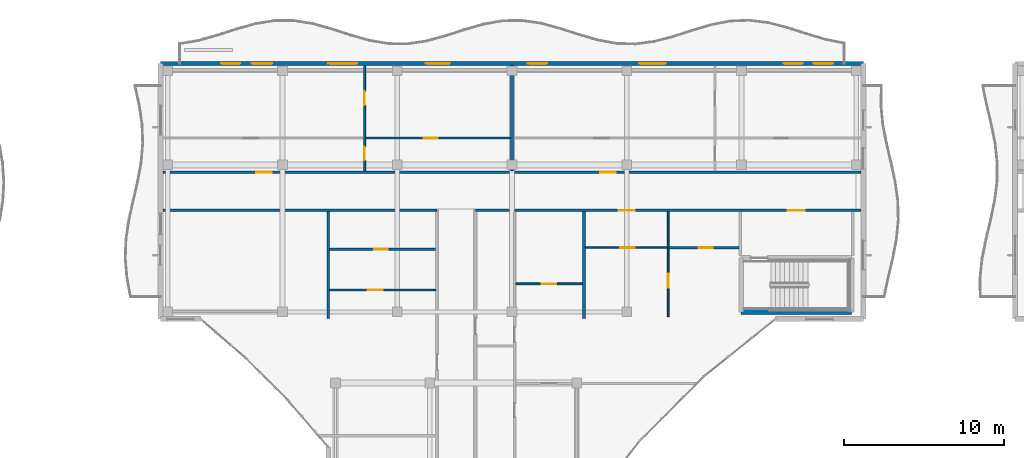
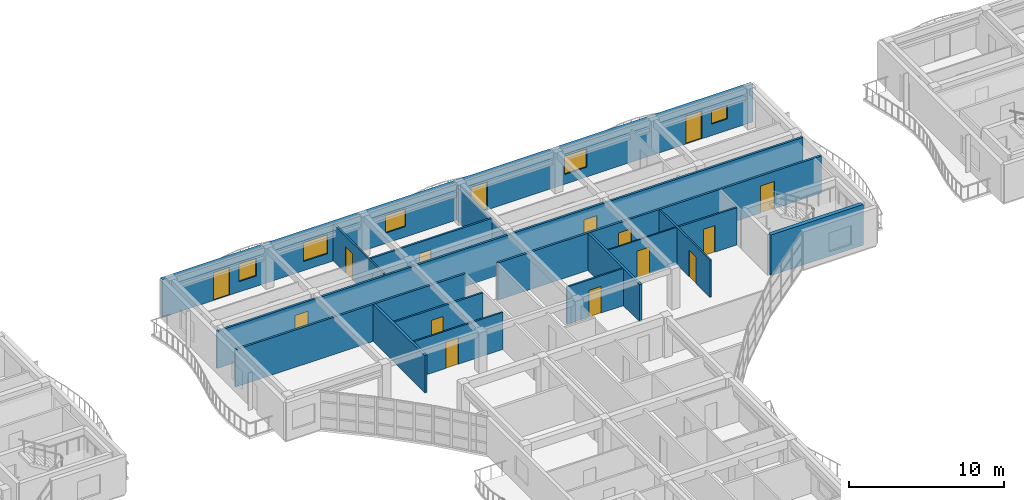
# One storey, part 40 of 71: 16 doors, 16 walls, 5 windows, 21 openings.
"""IFC4 building model written with IfcOpenShell, lengths in metres."""

import ifcopenshell
import ifcopenshell.guid

model = None  # the IFC model being written
_history = None  # IfcOwnerHistory: only IFC2X3 demands one
_inside = {}  # id of a spatial element -> (the spatial element, [elements in it])
_under = {}  # id of a project, library or spatial element -> (it, [spatial elements below it])
_declared = {}  # id of a project -> (the project, [libraries it declares])
_typed = {}  # id of a type object -> (the type object, [elements of that type])
_made_of = {}  # id of a material, layer set ... -> (it, [elements and type objects made of it])


def new_model(schema):
    """Start an empty IFC model of exactly this schema.

    Asked for "IFC4X3", IfcOpenShell would pick the latest addendum, in which some entities
    have other attributes; the version numbers below select the first issue.
    IFC2X3 requires an IfcOwnerHistory on every rooted entity: one is made here for all.
    """
    global model, _history
    if schema == "IFC4X3":
        model = ifcopenshell.file(schema_version=(4, 3, 0, 0))
    else:
        model = ifcopenshell.file(schema=schema)
    _inside.clear()
    _under.clear()
    _declared.clear()
    _typed.clear()
    _made_of.clear()
    _history = None
    if model.schema == "IFC2X3":
        org = make("IfcOrganization", Name="unknown")
        user = make(
            "IfcPersonAndOrganization",
            ThePerson=make("IfcPerson", FamilyName="unknown"),
            TheOrganization=org,
        )
        app = make(
            "IfcApplication",
            ApplicationDeveloper=org,
            Version="unknown",
            ApplicationFullName="unknown",
            ApplicationIdentifier="unknown",
        )
        _history = make(
            "IfcOwnerHistory",
            OwningUser=user,
            OwningApplication=app,
            ChangeAction="ADDED",
            CreationDate=0,
        )
    return model


def make(cls, **values):
    """One entity of the class cls with the attributes given. An attribute that is None is left unset."""
    return model.create_entity(
        cls, **{name: value for name, value in values.items() if value is not None}
    )


def rooted(cls, **values):
    """An entity with a GlobalId (a new one), such as an element, a storey or a relation."""
    return make(cls, GlobalId=ifcopenshell.guid.new(), OwnerHistory=_history, **values)


def si_unit(unit_type, name, prefix=None):
    """IfcSIUnit, for example si_unit("LENGTHUNIT", "METRE", prefix="MILLI")."""
    return make("IfcSIUnit", UnitType=unit_type, Prefix=prefix, Name=name)


def assignment(units):
    """IfcUnitAssignment: the units of a project."""
    return None if units is None else make("IfcUnitAssignment", Units=units)


def point(xyz):
    """IfcCartesianPoint."""
    return None if xyz is None else make("IfcCartesianPoint", Coordinates=xyz)


def direction(xyz):
    """IfcDirection."""
    return None if xyz is None else make("IfcDirection", DirectionRatios=xyz)


def frame(location, z_axis=None, x_axis=None):
    """IfcAxis2Placement3D, a coordinate frame: its origin and axes. An axis left out is left unset."""
    return make(
        "IfcAxis2Placement3D",
        Location=point(location),
        Axis=direction(z_axis),
        RefDirection=direction(x_axis),
    )


def frame_2d(location, x_axis=None):
    """IfcAxis2Placement2D, a coordinate frame in the plane: its origin and x axis."""
    return make(
        "IfcAxis2Placement2D", Location=point(location), RefDirection=direction(x_axis)
    )


def origin():
    """The frame at (0, 0, 0) with its axes left unset."""
    return frame((0.0, 0.0, 0.0))


def place(relative_to, where):
    """IfcLocalPlacement: puts the frame where relative to a parent placement (None: the world)."""
    return make(
        "IfcLocalPlacement", PlacementRelTo=relative_to, RelativePlacement=where
    )


def context(
    kind, dimensions, precision=None, world=None, true_north=None, identifier=None
):
    """IfcGeometricRepresentationContext, for example the 3D "Model" context."""
    return make(
        "IfcGeometricRepresentationContext",
        ContextIdentifier=identifier,
        ContextType=kind,
        CoordinateSpaceDimension=dimensions,
        Precision=precision,
        WorldCoordinateSystem=world,
        TrueNorth=true_north,
    )


def subcontext(parent, identifier, kind, view, scale=None):
    """IfcGeometricRepresentationSubContext, for example "Body" below "Model"."""
    return make(
        "IfcGeometricRepresentationSubContext",
        ContextIdentifier=identifier,
        ContextType=kind,
        ParentContext=parent,
        TargetScale=scale,
        TargetView=view,
    )


def project(units=None, contexts=None):
    """IfcProject with its units and contexts."""
    return rooted(
        "IfcProject",
        Name="project",
        RepresentationContexts=contexts,
        UnitsInContext=assignment(units),
    )


def spatial(cls, under=None, at=None, **own):
    """A site, building, storey or space (cls), placed at a placement, below another one or the project."""
    s = rooted(cls, ObjectPlacement=at, **own)
    if under is not None:
        _under.setdefault(under.id(), (under, []))[1].append(s)
    return s


def profile(cls, at=None, kind="AREA", **sizes):
    """A parametric profile (cls). Its sizes go by their IFC names, for example OverallWidth=200.0."""
    return make(cls, ProfileType=kind, Position=at, **sizes)


def rectangle(**sizes):
    """IfcRectangleProfileDef."""
    return profile("IfcRectangleProfileDef", **sizes)


def extrude(swept, where, along, depth):
    """IfcExtrudedAreaSolid: the profile swept, set in the frame where, extruded along a direction by depth."""
    return make(
        "IfcExtrudedAreaSolid",
        SweptArea=swept,
        Position=where,
        ExtrudedDirection=direction(along),
        Depth=depth,
    )


def shape(context_of_items, identifier, shape_type, items):
    """IfcShapeRepresentation: the items that make up one representation, for example the "Body"."""
    return make(
        "IfcShapeRepresentation",
        ContextOfItems=context_of_items,
        RepresentationIdentifier=identifier,
        RepresentationType=shape_type,
        Items=items,
    )


def material(Name=None, Category=None):
    """IfcMaterial."""
    return make("IfcMaterial", Name=Name, Category=Category)


def layer(
    of_material, thickness, ventilated=None, Name=None, Category=None, Priority=None
):
    """IfcMaterialLayer: one layer of a wall or slab, of a material (None: an air gap)."""
    return make(
        "IfcMaterialLayer",
        Material=of_material,
        LayerThickness=thickness,
        IsVentilated=ventilated,
        Name=Name,
        Category=Category,
        Priority=Priority,
    )


def layer_set(layers, Name=None):
    """IfcMaterialLayerSet."""
    return make("IfcMaterialLayerSet", MaterialLayers=layers, LayerSetName=Name)


def made_of(thing, what):
    """Note that an element or type object is made of a material, layer set ...; save() writes the relation."""
    if what is not None:
        _made_of.setdefault(what.id(), (what, []))[1].append(thing)
    return thing


def type_object(cls, material=None, **own):
    """A type object (cls), such as IfcWallType, which elements share."""
    return made_of(rooted(cls, **own), material)


def element(
    cls,
    number,
    at=None,
    inside=None,
    cuts=None,
    type_object=None,
    material=None,
    context=None,
    identifier="Body",
    shape_type=None,
    held_by="IfcProductDefinitionShape",
    body=None,
    shapes=None,
    **own,
):
    """One element of the class cls, such as IfcWall. Its Tag is "e" and its number.

    at: its placement. inside: the storey or other place that contains it. cuts: it is an
    opening in that element (IfcRelVoidsElement). A single representation is given by context,
    identifier, shape_type and body (its items); several are given by shapes. held_by: the class
    of the entity that holds the representations. save() writes the other relations.
    """
    e = rooted(cls, Tag="e%d" % number, ObjectPlacement=at, **own)
    if body is not None:
        shapes = [shape(context, identifier, shape_type, body)]
    if shapes is not None:
        e.Representation = make(held_by, Representations=shapes)
    if inside is not None:
        _inside.setdefault(inside.id(), (inside, []))[1].append(e)
    if cuts is not None:
        rooted(
            "IfcRelVoidsElement", RelatingBuildingElement=cuts, RelatedOpeningElement=e
        )
    if type_object is not None:
        _typed.setdefault(type_object.id(), (type_object, []))[1].append(e)
    return made_of(e, material)


def fill(opening, filler):
    """IfcRelFillsElement: the door or window that sits in an opening."""
    return rooted(
        "IfcRelFillsElement",
        RelatingOpeningElement=opening,
        RelatedBuildingElement=filler,
    )


def aggregate(whole, parts):
    """IfcRelAggregates: a whole, such as a stair, and the parts it consists of."""
    return rooted("IfcRelAggregates", RelatingObject=whole, RelatedObjects=parts)


def save(model, path):
    """Write the relations noted so far, then the file.

    IfcRelAggregates (storeys below a building ...), IfcRelContainedInSpatialStructure (elements
    in a storey), IfcRelDefinesByType, IfcRelAssociatesMaterial and IfcRelDeclares: one each for
    every whole, place, type object, material and project.
    """
    for whole, parts in _under.values():
        aggregate(whole, parts)
    for where, things in _inside.values():
        rooted(
            "IfcRelContainedInSpatialStructure",
            RelatedElements=things,
            RelatingStructure=where,
        )
    for kind, things in _typed.values():
        rooted("IfcRelDefinesByType", RelatedObjects=things, RelatingType=kind)
    for what, things in _made_of.values():
        rooted("IfcRelAssociatesMaterial", RelatedObjects=things, RelatingMaterial=what)
    for by, libraries in _declared.values():
        rooted("IfcRelDeclares", RelatingContext=by, RelatedDefinitions=libraries)
    model.write(path)


model = new_model("IFC4")

# Units and contexts
model_context = context("Model", 3, precision=1e-05, world=origin(), true_north=direction((0.0, 1.0)))
body_context = subcontext(model_context, "Body", "Model", "MODEL_VIEW")
ifc_project = project(units=[si_unit("LENGTHUNIT", "METRE"), si_unit("AREAUNIT", "SQUARE_METRE"), si_unit("VOLUMEUNIT", "CUBIC_METRE"), si_unit("PLANEANGLEUNIT", "RADIAN"), si_unit("MASSUNIT", "GRAM", prefix="KILO")], contexts=[model_context])

# Site, building, storey
site_placement = place(None, origin())
site = spatial("IfcSite", under=ifc_project, at=site_placement, CompositionType="ELEMENT")
building_placement = place(site_placement, origin())
building = spatial("IfcBuilding", under=site, at=building_placement, Name="Keldmere Railside Commons", CompositionType="ELEMENT")
storey_placement = place(building_placement, frame((0.0, 0.0, 20.159912109375)))
storey = spatial("IfcBuildingStorey", under=building, at=storey_placement, Name="L06", CompositionType="ELEMENT", Elevation=20.159912109375)

# Walls
ifc_material_1 = material(Name="Acoustic Gypsum Board Partition", Category="gypsum")
ifc_layer_1 = layer(ifc_material_1, 0.179931640625, Name="Acoustic Demising Partition 180")
ifc_layer_set_1 = layer_set([ifc_layer_1], Name="Acoustic Gypsum Board Partition")
wall_type_1 = type_object("IfcWallType", Name="Acoustic Demising Partition 180", PredefinedType="PARTITIONING", material=ifc_layer_set_1)
for number, where, z_axis, x_axis, name in (
    (1, (120.0, 100.050048828125, 0.0), (0.0, 0.0, 1.0), (0.0, 1.0, 0.0), "IW-1 IW-L06-1148"),
    (2, (104.0, 100.050048828125, 0.0), (0.0, 0.0, 1.0), (0.0, 1.0, 0.0), "IW-1 IW-L06-1149"),
):
    element("IfcWall", number, at=place(storey_placement, frame(where, z_axis=z_axis, x_axis=x_axis)), inside=storey, type_object=wall_type_1, Name=name, PredefinedType="PARTITIONING", context=body_context, shape_type="SweptSolid", body=[
        extrude(rectangle(XDim=6.669921875, YDim=0.179931640625, at=frame_2d((3.3349609375, 0.0))), origin(), (0.0, 0.0, 1.0), 2.93505859375),
    ])
wall_1_placement = place(storey_placement, frame((115.5, 109.280029296875, 0.0), z_axis=(0.0, 0.0, 1.0), x_axis=(0.0, 1.0, 0.0)))
element("IfcWall", 3, at=wall_1_placement, inside=storey, type_object=wall_type_1, Name="IW-1 IW-L06-1169", PredefinedType="PARTITIONING", context=body_context, shape_type="SweptSolid", body=[
    extrude(rectangle(XDim=6.590087890625, YDim=0.179931640625, at=frame_2d((3.294921875, 0.0))), origin(), (0.0, 0.0, 1.0), 2.68017578125),
])

# Wall, opening, door
ifc_layer_2 = layer(ifc_material_1, 0.1201171875, Name="Apartment Interior Partition 120")
ifc_layer_set_2 = layer_set([ifc_layer_2], Name="Acoustic Gypsum Board Partition")
wall_type_2 = type_object("IfcWallType", Name="Apartment Interior Partition 120", PredefinedType="PARTITIONING", material=ifc_layer_set_2)
wall_2_placement = place(storey_placement, frame((115.719970703125, 102.199951171875, 0.0), z_axis=(0.0, 0.0, 1.0), x_axis=(1.0, 0.0, 0.0)))
wall_2 = element("IfcWall", 4, at=wall_2_placement, inside=storey, type_object=wall_type_2, Name="IW-4 IW-L06-1168", PredefinedType="PARTITIONING", context=body_context, shape_type="SweptSolid", body=[
    extrude(rectangle(XDim=4.18994140625, YDim=0.1201171875, at=frame_2d((2.094970703125, 0.0))), origin(), (0.0, 0.0, 1.0), 2.93505859375),
])
opening_1_placement = place(wall_2_placement, frame((1.655029296875, 0.0, 0.0)))
opening_1 = element("IfcOpeningElement", 5, at=opening_1_placement, cuts=wall_2, Name="Opening ID-02", PredefinedType="OPENING", context=body_context, shape_type="SweptSolid", body=[
    extrude(rectangle(XDim=0.8798828125, YDim=2.10009765625, at=frame_2d((0.43994140625, 1.050048828125))), frame((0.0, 0.070068359375, 0.0), z_axis=(0.0, -1.0, 0.0), x_axis=(1.0, 0.0, 0.0)), (0.0, 0.0, 1.0), 0.14013671875),
])
ifc_material_2 = material(Name="Engineered Oak Timber", Category="wood")
door_type_1 = type_object("IfcDoorType", Name="Secondary Bedroom Door 880x2100", OperationType="NOTDEFINED", PredefinedType="DOOR", material=ifc_material_2)
door_1_placement = place(opening_1_placement, origin())
door_1 = element("IfcDoor", 6, at=door_1_placement, inside=storey, type_object=door_type_1, Name="ID-02 IDR-L06-1032", OperationType="SINGLE_SWING_RIGHT", OverallHeight=2.10009765625, OverallWidth=0.8798828125, PredefinedType="DOOR", context=body_context, shape_type="SweptSolid", body=[
    extrude(rectangle(XDim=0.8798828125, YDim=2.10009765625, at=frame_2d((0.43994140625, 1.050048828125))), frame((0.0, 0.02490234375, 0.0), z_axis=(0.0, -1.0, 0.0), x_axis=(1.0, 0.0, 0.0)), (0.0, 0.0, 1.0), 0.050048828125),
])
fill(opening_1, door_1)

# Wall, openings, doors
wall_3_placement = place(storey_placement, frame((106.27001953125, 109.280029296875, 0.0), z_axis=(0.0, 0.0, 1.0), x_axis=(0.0, 1.0, 0.0)))
wall_3 = element("IfcWall", 7, at=wall_3_placement, inside=storey, type_object=wall_type_2, Name="IW-4 IW-L06-1170", PredefinedType="PARTITIONING", context=body_context, shape_type="SweptSolid", body=[
    extrude(rectangle(XDim=6.590087890625, YDim=0.1201171875, at=frame_2d((3.294921875, 0.0))), origin(), (0.0, 0.0, 1.0), 2.93505859375),
])
opening_2_placement = place(wall_3_placement, frame((0.656005859375, 0.0, 0.0)))
opening_2 = element("IfcOpeningElement", 8, at=opening_2_placement, cuts=wall_3, Name="Opening ID-04", PredefinedType="OPENING", context=body_context, shape_type="SweptSolid", body=[
    extrude(rectangle(XDim=0.860107421875, YDim=2.10009765625, at=frame_2d((0.43017578125, 1.050048828125))), frame((0.0, 0.070068359375, 0.0), z_axis=(0.0, -1.0, 0.0), x_axis=(1.0, 0.0, 0.0)), (0.0, 0.0, 1.0), 0.14013671875),
])
opening_3_placement = place(wall_3_placement, frame((4.093017578125, 0.0, 0.0)))
opening_3 = element("IfcOpeningElement", 9, at=opening_3_placement, cuts=wall_3, Name="Opening ID-01", PredefinedType="OPENING", context=body_context, shape_type="SweptSolid", body=[
    extrude(rectangle(XDim=0.89990234375, YDim=2.10009765625, at=frame_2d((0.449951171875, 1.050048828125))), frame((0.0, 0.070068359375, 0.0), z_axis=(0.0, -1.0, 0.0), x_axis=(1.0, 0.0, 0.0)), (0.0, 0.0, 1.0), 0.14013671875),
])
door_type_2 = type_object("IfcDoorType", Name="Apartment Bathroom Door 860x2100", OperationType="NOTDEFINED", PredefinedType="DOOR", material=ifc_material_2)
door_2_placement = place(opening_2_placement, origin())
door_2 = element("IfcDoor", 10, at=door_2_placement, inside=storey, type_object=door_type_2, Name="ID-04 IDR-L06-1035", OperationType="SINGLE_SWING_LEFT", OverallHeight=2.10009765625, OverallWidth=0.860107421875, PredefinedType="DOOR", context=body_context, shape_type="SweptSolid", body=[
    extrude(rectangle(XDim=0.860107421875, YDim=2.10009765625, at=frame_2d((0.43017578125, 1.050048828125))), frame((0.0, 0.02490234375, 0.0), z_axis=(0.0, -1.0, 0.0), x_axis=(1.0, 0.0, 0.0)), (0.0, 0.0, 1.0), 0.050048828125),
])
fill(opening_2, door_2)
door_type_3 = type_object("IfcDoorType", Name="Primary Bedroom Door 900x2100", OperationType="NOTDEFINED", PredefinedType="DOOR", material=ifc_material_2)
door_3_placement = place(opening_3_placement, origin())
door_3 = element("IfcDoor", 11, at=door_3_placement, inside=storey, type_object=door_type_3, Name="ID-01 IDR-L06-1036", OperationType="SINGLE_SWING_RIGHT", OverallHeight=2.10009765625, OverallWidth=0.89990234375, PredefinedType="DOOR", context=body_context, shape_type="SweptSolid", body=[
    extrude(rectangle(XDim=0.89990234375, YDim=2.10009765625, at=frame_2d((0.449951171875, 1.050048828125))), frame((0.0, 0.02490234375, 0.0), z_axis=(0.0, -1.0, 0.0), x_axis=(1.0, 0.0, 0.0)), (0.0, 0.0, 1.0), 0.050048828125),
])
fill(opening_3, door_3)

# Wall, opening, door
wall_4_placement = place(storey_placement, frame((125.280029296875, 100.159912109375, 0.0), z_axis=(0.0, 0.0, 1.0), x_axis=(0.0, 1.0, 0.0)))
wall_4 = element("IfcWall", 12, at=wall_4_placement, inside=storey, type_object=wall_type_2, Name="IW-4 IW-L06-1176", PredefinedType="PARTITIONING", context=body_context, shape_type="SweptSolid", body=[
    extrude(rectangle(XDim=6.56005859375, YDim=0.1201171875, at=frame_2d((3.280029296875, 0.0))), origin(), (0.0, 0.0, 1.0), 2.93505859375),
])
opening_4_placement = place(wall_4_placement, frame((1.810302734375, 0.0, 0.0)))
opening_4 = element("IfcOpeningElement", 13, at=opening_4_placement, cuts=wall_4, Name="Opening ID-02", PredefinedType="OPENING", context=body_context, shape_type="SweptSolid", body=[
    extrude(rectangle(XDim=0.8798828125, YDim=2.10009765625, at=frame_2d((0.43994140625, 1.050048828125))), frame((0.0, 0.070068359375, 0.0), z_axis=(0.0, -1.0, 0.0), x_axis=(1.0, 0.0, 0.0)), (0.0, 0.0, 1.0), 0.14013671875),
])
door_4_placement = place(opening_4_placement, origin())
door_4 = element("IfcDoor", 14, at=door_4_placement, inside=storey, type_object=door_type_1, Name="ID-02 IDR-L06-1045", OperationType="SINGLE_SWING_LEFT", OverallHeight=2.10009765625, OverallWidth=0.8798828125, PredefinedType="DOOR", context=body_context, shape_type="SweptSolid", body=[
    extrude(rectangle(XDim=0.8798828125, YDim=2.10009765625, at=frame_2d((0.43994140625, 1.050048828125))), frame((0.0, 0.02490234375, 0.0), z_axis=(0.0, -1.0, 0.0), x_axis=(1.0, 0.0, 0.0)), (0.0, 0.0, 1.0), 0.050048828125),
])
fill(opening_4, door_4)

wall_5_placement = place(storey_placement, frame((104.090087890625, 101.820068359375, 0.0), z_axis=(0.0, 0.0, 1.0), x_axis=(1.0, 0.0, 0.0)))
wall_5 = element("IfcWall", 15, at=wall_5_placement, inside=storey, type_object=wall_type_2, Name="IW-4 IW-L06-1182", PredefinedType="PARTITIONING", context=body_context, shape_type="SweptSolid", body=[
    extrude(rectangle(XDim=6.6298828125, YDim=0.1201171875, at=frame_2d((3.31494140625, 0.0))), origin(), (0.0, 0.0, 1.0), 2.93505859375),
])
opening_5_placement = place(wall_5_placement, frame((2.384521484375, 0.0, 0.0)))
opening_5 = element("IfcOpeningElement", 16, at=opening_5_placement, cuts=wall_5, Name="Opening ID-03", PredefinedType="OPENING", context=body_context, shape_type="SweptSolid", body=[
    extrude(rectangle(XDim=0.919921875, YDim=2.10009765625, at=frame_2d((0.4599609375, 1.050048828125))), frame((0.0, 0.070068359375, 0.0), z_axis=(0.0, -1.0, 0.0), x_axis=(1.0, 0.0, 0.0)), (0.0, 0.0, 1.0), 0.14013671875),
])
door_type_4 = type_object("IfcDoorType", Name="Kitchen Pocket-Frame Swing Door 920x2100", OperationType="NOTDEFINED", PredefinedType="DOOR", material=ifc_material_2)
door_5_placement = place(opening_5_placement, origin())
door_5 = element("IfcDoor", 17, at=door_5_placement, inside=storey, type_object=door_type_4, Name="ID-03 IDR-L06-1052", OperationType="SINGLE_SWING_RIGHT", OverallHeight=2.10009765625, OverallWidth=0.919921875, PredefinedType="DOOR", context=body_context, shape_type="SweptSolid", body=[
    extrude(rectangle(XDim=0.919921875, YDim=2.10009765625, at=frame_2d((0.4599609375, 1.050048828125))), frame((0.0, 0.02490234375, 0.0), z_axis=(0.0, -1.0, 0.0), x_axis=(1.0, 0.0, 0.0)), (0.0, 0.0, 1.0), 0.050048828125),
])
fill(opening_5, door_5)

ifc_layer_3 = layer(ifc_material_1, 0.10009765625, Name="Closet Light Partition 100")
ifc_layer_set_3 = layer_set([ifc_layer_3], Name="Acoustic Gypsum Board Partition")
wall_type_3 = type_object("IfcWallType", Name="Closet Light Partition 100", PredefinedType="PARTITIONING", material=ifc_layer_set_3)
wall_6_placement = place(storey_placement, frame((120.090087890625, 104.469970703125, 0.0), z_axis=(0.0, 0.0, 1.0), x_axis=(1.0, 0.0, 0.0)))
wall_6 = element("IfcWall", 18, at=wall_6_placement, inside=storey, type_object=wall_type_3, Name="IW-6 IW-L06-1178", PredefinedType="PARTITIONING", context=body_context, shape_type="SweptSolid", body=[
    extrude(rectangle(XDim=5.1298828125, YDim=0.10009765625, at=frame_2d((2.56494140625, 0.0))), origin(), (0.0, 0.0, 1.0), 2.93505859375),
])
opening_6_placement = place(wall_6_placement, frame((2.1796875, 0.0, 0.0)))
opening_6 = element("IfcOpeningElement", 19, at=opening_6_placement, cuts=wall_6, Name="Opening ID-03", PredefinedType="OPENING", context=body_context, shape_type="SweptSolid", body=[
    extrude(rectangle(XDim=0.919921875, YDim=2.10009765625, at=frame_2d((0.4599609375, 1.050048828125))), frame((0.0, 0.06005859375, 0.0), z_axis=(0.0, -1.0, 0.0), x_axis=(1.0, 0.0, 0.0)), (0.0, 0.0, 1.0), 0.1201171875),
])
door_6_placement = place(opening_6_placement, origin())
door_6 = element("IfcDoor", 20, at=door_6_placement, inside=storey, type_object=door_type_4, Name="ID-03 IDR-L06-1044", OperationType="SINGLE_SWING_RIGHT", OverallHeight=2.10009765625, OverallWidth=0.919921875, PredefinedType="DOOR", context=body_context, shape_type="SweptSolid", body=[
    extrude(rectangle(XDim=0.919921875, YDim=2.10009765625, at=frame_2d((0.4599609375, 1.050048828125))), frame((0.0, 0.02490234375, 0.0), z_axis=(0.0, -1.0, 0.0), x_axis=(1.0, 0.0, 0.0)), (0.0, 0.0, 1.0), 0.050048828125),
])
fill(opening_6, door_6)

# Wall
ifc_layer_4 = layer(ifc_material_1, 0.159912109375, Name="Corridor Fire Partition 160")
ifc_layer_set_4 = layer_set([ifc_layer_4], Name="Acoustic Gypsum Board Partition")
wall_type_4 = type_object("IfcWallType", Name="Corridor Fire Partition 160", PredefinedType="PARTITIONING", material=ifc_layer_set_4)
wall_7_placement = place(storey_placement, frame((93.659912109375, 106.800048828125, 0.0), z_axis=(0.0, 0.0, 1.0), x_axis=(1.0, 0.0, 0.0)))
element("IfcWall", 21, at=wall_7_placement, inside=storey, type_object=wall_type_4, Name="IW-2 IW-L06-1145", PredefinedType="PARTITIONING", context=body_context, shape_type="SweptSolid", body=[
    extrude(rectangle(XDim=17.14013671875, YDim=0.159912109375, at=frame_2d((8.570068359375, 0.0))), origin(), (0.0, 0.0, 1.0), 2.93505859375),
])

# Wall, openings, doors
wall_8_placement = place(storey_placement, frame((113.199951171875, 106.800048828125, 0.0), z_axis=(0.0, 0.0, 1.0), x_axis=(1.0, 0.0, 0.0)))
wall_8 = element("IfcWall", 22, at=wall_8_placement, inside=storey, type_object=wall_type_4, Name="IW-2 IW-L06-1146", PredefinedType="PARTITIONING", context=body_context, shape_type="SweptSolid", body=[
    extrude(rectangle(XDim=24.14013671875, YDim=0.159912109375, at=frame_2d((12.070068359375, 0.0))), origin(), (0.0, 0.0, 1.0), 2.93505859375),
])
opening_7_placement = place(wall_8_placement, frame((19.574951171875, 0.0, 0.0)))
opening_7 = element("IfcOpeningElement", 23, at=opening_7_placement, cuts=wall_8, Name="Opening FD-1", PredefinedType="OPENING", context=body_context, shape_type="SweptSolid", body=[
    extrude(rectangle(XDim=1.050048828125, YDim=2.14990234375, at=frame_2d((0.52490234375, 1.074951171875))), frame((0.0, 0.08984375, 0.0), z_axis=(0.0, -1.0, 0.0), x_axis=(1.0, 0.0, 0.0)), (0.0, 0.0, 1.0), 0.179931640625),
])
opening_8_placement = place(wall_8_placement, frame((8.9951171875, 0.0, 0.0)))
opening_8 = element("IfcOpeningElement", 24, at=opening_8_placement, cuts=wall_8, Name="Opening FD-7", PredefinedType="OPENING", context=body_context, shape_type="SweptSolid", body=[
    extrude(rectangle(XDim=0.97998046875, YDim=2.14990234375, at=frame_2d((0.489990234375, 1.074951171875))), frame((0.0, 0.08984375, 0.0), z_axis=(0.0, -1.0, 0.0), x_axis=(1.0, 0.0, 0.0)), (0.0, 0.0, 1.0), 0.179931640625),
])
door_type_5 = type_object("IfcDoorType", Name="Apartment Entrance Acoustic Fire Door 980x2150", OperationType="NOTDEFINED", PredefinedType="DOOR", material=ifc_material_2)
door_7_placement = place(opening_8_placement, origin())
door_7 = element("IfcDoor", 25, at=door_7_placement, inside=storey, type_object=door_type_5, Name="FD-7 IDR-L06-1043", OperationType="SINGLE_SWING_LEFT", OverallHeight=2.14990234375, OverallWidth=0.97998046875, PredefinedType="DOOR", context=body_context, shape_type="SweptSolid", body=[
    extrude(rectangle(XDim=0.97998046875, YDim=2.14990234375, at=frame_2d((0.489990234375, 1.074951171875))), frame((0.0, 0.02490234375, 0.0), z_axis=(0.0, -1.0, 0.0), x_axis=(1.0, 0.0, 0.0)), (0.0, 0.0, 1.0), 0.050048828125),
])
fill(opening_8, door_7)
ifc_material_3 = material(Name="Steel F-24 (S235)", Category="steel")
door_type_6 = type_object("IfcDoorType", Name="Stair Core Fire Door 1050x2150", OperationType="NOTDEFINED", PredefinedType="DOOR", material=ifc_material_3)
door_8_placement = place(opening_7_placement, origin())
door_8 = element("IfcDoor", 26, at=door_8_placement, inside=storey, type_object=door_type_6, Name="FD-1 IDR-L06-1012", OperationType="SINGLE_SWING_RIGHT", OverallHeight=2.14990234375, OverallWidth=1.050048828125, PredefinedType="DOOR", context=body_context, shape_type="SweptSolid", body=[
    extrude(rectangle(XDim=1.050048828125, YDim=2.14990234375, at=frame_2d((0.52490234375, 1.074951171875))), frame((0.0, 0.02490234375, 0.0), z_axis=(0.0, -1.0, 0.0), x_axis=(1.0, 0.0, 0.0)), (0.0, 0.0, 1.0), 0.050048828125),
])
fill(opening_7, door_8)

wall_9_placement = place(storey_placement, frame((93.659912109375, 109.199951171875, 0.0), z_axis=(0.0, 0.0, 1.0), x_axis=(1.0, 0.0, 0.0)))
wall_9 = element("IfcWall", 27, at=wall_9_placement, inside=storey, type_object=wall_type_4, Name="IW-2 IW-L06-1147", PredefinedType="PARTITIONING", context=body_context, shape_type="SweptSolid", body=[
    extrude(rectangle(XDim=43.68017578125, YDim=0.159912109375, at=frame_2d((21.840087890625, 0.0))), origin(), (0.0, 0.0, 1.0), 2.93505859375),
])
opening_9_placement = place(wall_9_placement, frame((5.81494140625, 0.0, 0.0)))
opening_9 = element("IfcOpeningElement", 28, at=opening_9_placement, cuts=wall_9, Name="Opening FD-7", PredefinedType="OPENING", context=body_context, shape_type="SweptSolid", body=[
    extrude(rectangle(XDim=0.97998046875, YDim=2.14990234375, at=frame_2d((0.489990234375, 1.074951171875))), frame((0.0, 0.08984375, 0.0), z_axis=(0.0, -1.0, 0.0), x_axis=(1.0, 0.0, 0.0)), (0.0, 0.0, 1.0), 0.179931640625),
])
opening_10_placement = place(wall_9_placement, frame((27.35009765625, 0.0, 0.0)))
opening_10 = element("IfcOpeningElement", 29, at=opening_10_placement, cuts=wall_9, Name="Opening FD-7", PredefinedType="OPENING", context=body_context, shape_type="SweptSolid", body=[
    extrude(rectangle(XDim=0.97998046875, YDim=2.14990234375, at=frame_2d((0.489990234375, 1.074951171875))), frame((0.0, 0.08984375, 0.0), z_axis=(0.0, -1.0, 0.0), x_axis=(1.0, 0.0, 0.0)), (0.0, 0.0, 1.0), 0.179931640625),
])
door_9_placement = place(opening_9_placement, origin())
door_9 = element("IfcDoor", 30, at=door_9_placement, inside=storey, type_object=door_type_5, Name="FD-7 IDR-L06-1033", OperationType="SINGLE_SWING_LEFT", OverallHeight=2.14990234375, OverallWidth=0.97998046875, PredefinedType="DOOR", context=body_context, shape_type="SweptSolid", body=[
    extrude(rectangle(XDim=0.97998046875, YDim=2.14990234375, at=frame_2d((0.489990234375, 1.074951171875))), frame((0.0, 0.02490234375, 0.0), z_axis=(0.0, -1.0, 0.0), x_axis=(1.0, 0.0, 0.0)), (0.0, 0.0, 1.0), 0.050048828125),
])
fill(opening_9, door_9)
door_10_placement = place(opening_10_placement, origin())
door_10 = element("IfcDoor", 31, at=door_10_placement, inside=storey, type_object=door_type_5, Name="FD-7 IDR-L06-1038", OperationType="SINGLE_SWING_RIGHT", OverallHeight=2.14990234375, OverallWidth=0.97998046875, PredefinedType="DOOR", context=body_context, shape_type="SweptSolid", body=[
    extrude(rectangle(XDim=0.97998046875, YDim=2.14990234375, at=frame_2d((0.489990234375, 1.074951171875))), frame((0.0, 0.02490234375, 0.0), z_axis=(0.0, -1.0, 0.0), x_axis=(1.0, 0.0, 0.0)), (0.0, 0.0, 1.0), 0.050048828125),
])
fill(opening_10, door_10)

# Wall
ifc_material_4 = material(Name="Concrete H-35 (C35/45)", Category="concrete")
ifc_layer_5 = layer(ifc_material_4, 0.300048828125, Name="Interior Shear Wall 300")
ifc_layer_set_5 = layer_set([ifc_layer_5], Name="Concrete H-35 (C35/45)")
wall_type_5 = type_object("IfcWallType", Name="Interior Shear Wall 300", PredefinedType="SHEAR", material=ifc_layer_set_5)
wall_10_placement = place(storey_placement, frame((129.85009765625, 100.449951171875, 0.0), z_axis=(0.0, 0.0, 1.0), x_axis=(1.0, 0.0, 0.0)))
element("IfcWall", 32, at=wall_10_placement, inside=storey, type_object=wall_type_5, Name="ISW-2 COREB2S-L06-0512", PredefinedType="SHEAR", context=body_context, shape_type="SweptSolid", body=[
    extrude(rectangle(XDim=6.89990234375, YDim=0.300048828125, at=frame_2d((3.449951171875, 0.0))), origin(), (0.0, 0.0, 1.0), 3.2001953125),
])

# Wall, openings, windows, doors
ifc_material_5 = material(Name="Terracotta Brick Masonry", Category="masonry")
ifc_layer_6 = layer(ifc_material_5, 0.260009765625, Name="Terracotta Cavity Wall 260")
ifc_layer_set_6 = layer_set([ifc_layer_6], Name="Terracotta Brick Masonry")
wall_type_6 = type_object("IfcWallType", Name="Terracotta Cavity Wall 260", PredefinedType="SOLIDWALL", material=ifc_layer_set_6)
wall_11_placement = place(storey_placement, frame((93.5, 116.0, 0.0), z_axis=(0.0, 0.0, 1.0), x_axis=(1.0, 0.0, 0.0)))
wall_11 = element("IfcWall", 33, at=wall_11_placement, inside=storey, type_object=wall_type_6, Name="EW-1 EXTB-L06-0633", PredefinedType="SOLIDWALL", context=body_context, shape_type="SweptSolid", body=[
    extrude(rectangle(XDim=44.0, YDim=0.260009765625, at=frame_2d((22.0, 0.0))), origin(), (0.0, 0.0, 1.0), 2.97998046875),
])
opening_11_placement = place(wall_11_placement, frame((3.800048828125, 0.0, 0.0)))
opening_11 = element("IfcOpeningElement", 34, at=opening_11_placement, cuts=wall_11, Name="Opening BD-01", PredefinedType="OPENING", context=body_context, shape_type="SweptSolid", body=[
    extrude(rectangle(XDim=1.199951171875, YDim=2.199951171875, at=frame_2d((0.60009765625, 1.10009765625))), frame((0.0, 0.139892578125, 0.0), z_axis=(0.0, -1.0, 0.0), x_axis=(1.0, 0.0, 0.0)), (0.0, 0.0, 1.0), 0.280029296875),
])
opening_12_placement = place(wall_11_placement, frame((5.699951171875, 0.0, 0.820068359375)))
opening_12 = element("IfcOpeningElement", 35, at=opening_12_placement, cuts=wall_11, Name="Opening WN-10", PredefinedType="OPENING", context=body_context, shape_type="SweptSolid", body=[
    extrude(rectangle(XDim=1.300048828125, YDim=1.39990234375, at=frame_2d((0.64990234375, 0.699951171875))), frame((0.0, 0.139892578125, 0.0), z_axis=(0.0, -1.0, 0.0), x_axis=(1.0, 0.0, 0.0)), (0.0, 0.0, 1.0), 0.280029296875),
])
opening_13_placement = place(wall_11_placement, frame((10.5, 0.0, 0.719970703125)))
opening_13 = element("IfcOpeningElement", 36, at=opening_13_placement, cuts=wall_11, Name="Opening WN-01", PredefinedType="OPENING", context=body_context, shape_type="SweptSolid", body=[
    extrude(rectangle(XDim=1.800048828125, YDim=1.5, at=frame_2d((0.89990234375, 0.75))), frame((0.0, 0.139892578125, 0.0), z_axis=(0.0, -1.0, 0.0), x_axis=(1.0, 0.0, 0.0)), (0.0, 0.0, 1.0), 0.280029296875),
])
opening_14_placement = place(wall_11_placement, frame((23.0, 0.0, 0.0)))
opening_14 = element("IfcOpeningElement", 37, at=opening_14_placement, cuts=wall_11, Name="Opening BD-01", PredefinedType="OPENING", context=body_context, shape_type="SweptSolid", body=[
    extrude(rectangle(XDim=1.199951171875, YDim=2.199951171875, at=frame_2d((0.60009765625, 1.10009765625))), frame((0.0, 0.139892578125, 0.0), z_axis=(0.0, -1.0, 0.0), x_axis=(1.0, 0.0, 0.0)), (0.0, 0.0, 1.0), 0.280029296875),
])
opening_15_placement = place(wall_11_placement, frame((29.97509765625, 0.0, 0.77001953125)))
opening_15 = element("IfcOpeningElement", 38, at=opening_15_placement, cuts=wall_11, Name="Opening WN-03", PredefinedType="OPENING", context=body_context, shape_type="SweptSolid", body=[
    extrude(rectangle(XDim=1.64990234375, YDim=1.449951171875, at=frame_2d((0.824951171875, 0.72509765625))), frame((0.0, 0.139892578125, 0.0), z_axis=(0.0, -1.0, 0.0), x_axis=(1.0, 0.0, 0.0)), (0.0, 0.0, 1.0), 0.280029296875),
])
opening_16_placement = place(wall_11_placement, frame((39.0, 0.0, 0.0)))
opening_16 = element("IfcOpeningElement", 39, at=opening_16_placement, cuts=wall_11, Name="Opening BD-01", PredefinedType="OPENING", context=body_context, shape_type="SweptSolid", body=[
    extrude(rectangle(XDim=1.199951171875, YDim=2.199951171875, at=frame_2d((0.60009765625, 1.10009765625))), frame((0.0, 0.139892578125, 0.0), z_axis=(0.0, -1.0, 0.0), x_axis=(1.0, 0.0, 0.0)), (0.0, 0.0, 1.0), 0.280029296875),
])
opening_17_placement = place(wall_11_placement, frame((40.89990234375, 0.0, 0.89990234375)))
opening_17 = element("IfcOpeningElement", 40, at=opening_17_placement, cuts=wall_11, Name="Opening WN-14", PredefinedType="OPENING", context=body_context, shape_type="SweptSolid", body=[
    extrude(rectangle(XDim=1.199951171875, YDim=1.050048828125, at=frame_2d((0.60009765625, 0.52490234375))), frame((0.0, 0.139892578125, 0.0), z_axis=(0.0, -1.0, 0.0), x_axis=(1.0, 0.0, 0.0)), (0.0, 0.0, 1.0), 0.280029296875),
])
opening_18_placement = place(wall_11_placement, frame((16.614990234375, 0.0, 0.820068359375)))
opening_18 = element("IfcOpeningElement", 41, at=opening_18_placement, cuts=wall_11, Name="Opening WN-06", PredefinedType="OPENING", context=body_context, shape_type="SweptSolid", body=[
    extrude(rectangle(XDim=1.5, YDim=1.39990234375, at=frame_2d((0.75, 0.699951171875))), frame((0.0, 0.139892578125, 0.0), z_axis=(0.0, -1.0, 0.0), x_axis=(1.0, 0.0, 0.0)), (0.0, 0.0, 1.0), 0.280029296875),
])
ifc_material_6 = material(Name="Low-E Insulated Double Glazing", Category="glass")
window_type_1 = type_object("IfcWindowType", Name="Apartment Kitchen Ribbon Window 1200x1050", PartitioningType="SINGLE_PANEL", PredefinedType="WINDOW", material=ifc_material_6)
window_1_placement = place(opening_17_placement, origin())
window_1 = element("IfcWindow", 42, at=window_1_placement, inside=storey, type_object=window_type_1, Name="WN-14 WIN-L06-0466", OverallHeight=1.050048828125, OverallWidth=1.199951171875, PartitioningType="SINGLE_PANEL", PredefinedType="WINDOW", context=body_context, shape_type="SweptSolid", body=[
    extrude(rectangle(XDim=1.199951171875, YDim=1.050048828125, at=frame_2d((0.60009765625, 0.52490234375))), frame((0.0, 0.030029296875, 0.0), z_axis=(0.0, -1.0, 0.0), x_axis=(1.0, 0.0, 0.0)), (0.0, 0.0, 1.0), 0.06005859375),
])
fill(opening_17, window_1)
ifc_material_7 = material(Name="Thermally Broken Aluminium", Category="aluminium")
door_type_7 = type_object("IfcDoorType", Name="Apartment Living Wave-Balcony Glazed Door 1200x2200", OperationType="NOTDEFINED", PredefinedType="DOOR", material=ifc_material_7)
door_11_placement = place(opening_11_placement, origin())
door_11 = element("IfcDoor", 43, at=door_11_placement, inside=storey, type_object=door_type_7, Name="BD-01 DR-L06-0171", OperationType="SINGLE_SWING_LEFT", OverallHeight=2.199951171875, OverallWidth=1.199951171875, PredefinedType="DOOR", context=body_context, shape_type="SweptSolid", body=[
    extrude(rectangle(XDim=1.199951171875, YDim=2.199951171875, at=frame_2d((0.60009765625, 1.10009765625))), frame((0.0, 0.02490234375, 0.0), z_axis=(0.0, -1.0, 0.0), x_axis=(1.0, 0.0, 0.0)), (0.0, 0.0, 1.0), 0.050048828125),
])
fill(opening_11, door_11)
door_12_placement = place(opening_14_placement, origin())
door_12 = element("IfcDoor", 44, at=door_12_placement, inside=storey, type_object=door_type_7, Name="BD-01 DR-L06-0172", OperationType="SINGLE_SWING_RIGHT", OverallHeight=2.199951171875, OverallWidth=1.199951171875, PredefinedType="DOOR", context=body_context, shape_type="SweptSolid", body=[
    extrude(rectangle(XDim=1.199951171875, YDim=2.199951171875, at=frame_2d((0.60009765625, 1.10009765625))), frame((0.0, 0.02490234375, 0.0), z_axis=(0.0, -1.0, 0.0), x_axis=(1.0, 0.0, 0.0)), (0.0, 0.0, 1.0), 0.050048828125),
])
fill(opening_14, door_12)
door_13_placement = place(opening_16_placement, origin())
door_13 = element("IfcDoor", 45, at=door_13_placement, inside=storey, type_object=door_type_7, Name="BD-01 DR-L06-0173", OperationType="SINGLE_SWING_LEFT", OverallHeight=2.199951171875, OverallWidth=1.199951171875, PredefinedType="DOOR", context=body_context, shape_type="SweptSolid", body=[
    extrude(rectangle(XDim=1.199951171875, YDim=2.199951171875, at=frame_2d((0.60009765625, 1.10009765625))), frame((0.0, 0.02490234375, 0.0), z_axis=(0.0, -1.0, 0.0), x_axis=(1.0, 0.0, 0.0)), (0.0, 0.0, 1.0), 0.050048828125),
])
fill(opening_16, door_13)
window_type_2 = type_object("IfcWindowType", Name="Living Room East Shaded Window 1650x1450", PartitioningType="SINGLE_PANEL", PredefinedType="WINDOW", material=ifc_material_6)
window_2_placement = place(opening_15_placement, origin())
window_2 = element("IfcWindow", 46, at=window_2_placement, inside=storey, type_object=window_type_2, Name="WN-03 WIN-L06-0465", OverallHeight=1.449951171875, OverallWidth=1.64990234375, PartitioningType="SINGLE_PANEL", PredefinedType="WINDOW", context=body_context, shape_type="SweptSolid", body=[
    extrude(rectangle(XDim=1.64990234375, YDim=1.449951171875, at=frame_2d((0.824951171875, 0.72509765625))), frame((0.0, 0.030029296875, 0.0), z_axis=(0.0, -1.0, 0.0), x_axis=(1.0, 0.0, 0.0)), (0.0, 0.0, 1.0), 0.06005859375),
])
fill(opening_15, window_2)
window_type_3 = type_object("IfcWindowType", Name="Living Room North Casement Window 1800x1500", PartitioningType="SINGLE_PANEL", PredefinedType="WINDOW", material=ifc_material_6)
window_3_placement = place(opening_13_placement, origin())
window_3 = element("IfcWindow", 47, at=window_3_placement, inside=storey, type_object=window_type_3, Name="WN-01 WIN-L06-0464", OverallHeight=1.5, OverallWidth=1.800048828125, PartitioningType="SINGLE_PANEL", PredefinedType="WINDOW", context=body_context, shape_type="SweptSolid", body=[
    extrude(rectangle(XDim=1.800048828125, YDim=1.5, at=frame_2d((0.89990234375, 0.75))), frame((0.0, 0.030029296875, 0.0), z_axis=(0.0, -1.0, 0.0), x_axis=(1.0, 0.0, 0.0)), (0.0, 0.0, 1.0), 0.06005859375),
])
fill(opening_13, window_3)
window_type_4 = type_object("IfcWindowType", Name="Primary Bedroom North Window 1500x1400", PartitioningType="SINGLE_PANEL", PredefinedType="WINDOW", material=ifc_material_6)
window_4_placement = place(opening_18_placement, origin())
window_4 = element("IfcWindow", 48, at=window_4_placement, inside=storey, type_object=window_type_4, Name="WN-06 WIN-L06-9054", OverallHeight=1.39990234375, OverallWidth=1.5, PartitioningType="SINGLE_PANEL", PredefinedType="WINDOW", context=body_context, shape_type="SweptSolid", body=[
    extrude(rectangle(XDim=1.5, YDim=1.39990234375, at=frame_2d((0.75, 0.699951171875))), frame((0.0, 0.030029296875, 0.0), z_axis=(0.0, -1.0, 0.0), x_axis=(1.0, 0.0, 0.0)), (0.0, 0.0, 1.0), 0.06005859375),
])
fill(opening_18, window_4)
window_type_5 = type_object("IfcWindowType", Name="Secondary Bedroom Court Window 1300x1400", PartitioningType="SINGLE_PANEL", PredefinedType="WINDOW", material=ifc_material_6)
window_5_placement = place(opening_12_placement, origin())
window_5 = element("IfcWindow", 49, at=window_5_placement, inside=storey, type_object=window_type_5, Name="WN-10 WIN-L06-0463", OverallHeight=1.39990234375, OverallWidth=1.300048828125, PartitioningType="SINGLE_PANEL", PredefinedType="WINDOW", context=body_context, shape_type="SweptSolid", body=[
    extrude(rectangle(XDim=1.300048828125, YDim=1.39990234375, at=frame_2d((0.64990234375, 0.699951171875))), frame((0.0, 0.030029296875, 0.0), z_axis=(0.0, -1.0, 0.0), x_axis=(1.0, 0.0, 0.0)), (0.0, 0.0, 1.0), 0.06005859375),
])
fill(opening_12, window_5)

# Wall, opening, door
ifc_layer_7 = layer(ifc_material_1, 0.139892578125, Name="Wet-Room Sanitary Partition 140")
ifc_layer_set_7 = layer_set([ifc_layer_7], Name="Acoustic Gypsum Board Partition")
wall_type_7 = type_object("IfcWallType", Name="Wet-Room Sanitary Partition 140", PredefinedType="PARTITIONING", material=ifc_layer_set_7)
wall_12_placement = place(storey_placement, frame((106.330078125, 111.330078125, 0.0), z_axis=(0.0, 0.0, 1.0), x_axis=(1.0, 0.0, 0.0)))
wall_12 = element("IfcWall", 50, at=wall_12_placement, inside=storey, type_object=wall_type_7, Name="IW-5 IW-L06-1171", PredefinedType="PARTITIONING", context=body_context, shape_type="SweptSolid", body=[
    extrude(rectangle(XDim=9.079833984375, YDim=0.139892578125, at=frame_2d((4.5400390625, 0.0))), origin(), (0.0, 0.0, 1.0), 2.93505859375),
])
opening_19_placement = place(wall_12_placement, frame((3.656005859375, 0.0, 0.0)))
opening_19 = element("IfcOpeningElement", 51, at=opening_19_placement, cuts=wall_12, Name="Opening ID-06", PredefinedType="OPENING", context=body_context, shape_type="SweptSolid", body=[
    extrude(rectangle(XDim=0.85009765625, YDim=2.050048828125, at=frame_2d((0.425048828125, 1.02490234375))), frame((0.0, 0.079833984375, 0.0), z_axis=(0.0, -1.0, 0.0), x_axis=(1.0, 0.0, 0.0)), (0.0, 0.0, 1.0), 0.159912109375),
])
door_type_8 = type_object("IfcDoorType", Name="Storage Closet Door 850x2050", OperationType="NOTDEFINED", PredefinedType="DOOR", material=ifc_material_2)
door_14_placement = place(opening_19_placement, origin())
door_14 = element("IfcDoor", 52, at=door_14_placement, inside=storey, type_object=door_type_8, Name="ID-06 IDR-L06-1037", OperationType="SINGLE_SWING_LEFT", OverallHeight=2.050048828125, OverallWidth=0.85009765625, PredefinedType="DOOR", context=body_context, shape_type="SweptSolid", body=[
    extrude(rectangle(XDim=0.85009765625, YDim=2.050048828125, at=frame_2d((0.425048828125, 1.02490234375))), frame((0.0, 0.02490234375, 0.0), z_axis=(0.0, -1.0, 0.0), x_axis=(1.0, 0.0, 0.0)), (0.0, 0.0, 1.0), 0.050048828125),
])
fill(opening_19, door_14)

wall_13_placement = place(storey_placement, frame((125.340087890625, 104.469970703125, 0.0), z_axis=(0.0, 0.0, 1.0), x_axis=(1.0, 0.0, 0.0)))
wall_13 = element("IfcWall", 53, at=wall_13_placement, inside=storey, type_object=wall_type_7, Name="IW-5 IW-L06-1177", PredefinedType="PARTITIONING", context=body_context, shape_type="SweptSolid", body=[
    extrude(rectangle(XDim=4.35986328125, YDim=0.139892578125, at=frame_2d((2.179931640625, 0.0))), origin(), (0.0, 0.0, 1.0), 2.93505859375),
])
opening_20_placement = place(wall_13_placement, frame((1.8564453125, 0.0, 0.0)))
opening_20 = element("IfcOpeningElement", 54, at=opening_20_placement, cuts=wall_13, Name="Opening ID-04", PredefinedType="OPENING", context=body_context, shape_type="SweptSolid", body=[
    extrude(rectangle(XDim=0.860107421875, YDim=2.10009765625, at=frame_2d((0.43017578125, 1.050048828125))), frame((0.0, 0.079833984375, 0.0), z_axis=(0.0, -1.0, 0.0), x_axis=(1.0, 0.0, 0.0)), (0.0, 0.0, 1.0), 0.159912109375),
])
door_15_placement = place(opening_20_placement, origin())
door_15 = element("IfcDoor", 55, at=door_15_placement, inside=storey, type_object=door_type_2, Name="ID-04 IDR-L06-1046", OperationType="SINGLE_SWING_RIGHT", OverallHeight=2.10009765625, OverallWidth=0.860107421875, PredefinedType="DOOR", context=body_context, shape_type="SweptSolid", body=[
    extrude(rectangle(XDim=0.860107421875, YDim=2.10009765625, at=frame_2d((0.43017578125, 1.050048828125))), frame((0.0, 0.02490234375, 0.0), z_axis=(0.0, -1.0, 0.0), x_axis=(1.0, 0.0, 0.0)), (0.0, 0.0, 1.0), 0.050048828125),
])
fill(opening_20, door_15)

wall_14_placement = place(storey_placement, frame((104.090087890625, 104.3701171875, 0.0), z_axis=(0.0, 0.0, 1.0), x_axis=(1.0, 0.0, 0.0)))
wall_14 = element("IfcWall", 56, at=wall_14_placement, inside=storey, type_object=wall_type_7, Name="IW-5 IW-L06-1183", PredefinedType="PARTITIONING", context=body_context, shape_type="SweptSolid", body=[
    extrude(rectangle(XDim=6.6298828125, YDim=0.139892578125, at=frame_2d((3.31494140625, 0.0))), origin(), (0.0, 0.0, 1.0), 2.93505859375),
])
opening_21_placement = place(wall_14_placement, frame((2.78466796875, 0.0, 0.0)))
opening_21 = element("IfcOpeningElement", 57, at=opening_21_placement, cuts=wall_14, Name="Opening ID-04", PredefinedType="OPENING", context=body_context, shape_type="SweptSolid", body=[
    extrude(rectangle(XDim=0.860107421875, YDim=2.10009765625, at=frame_2d((0.43017578125, 1.050048828125))), frame((0.0, 0.079833984375, 0.0), z_axis=(0.0, -1.0, 0.0), x_axis=(1.0, 0.0, 0.0)), (0.0, 0.0, 1.0), 0.159912109375),
])
door_16_placement = place(opening_21_placement, origin())
door_16 = element("IfcDoor", 58, at=door_16_placement, inside=storey, type_object=door_type_2, Name="ID-04 IDR-L06-1051", OperationType="SINGLE_SWING_LEFT", OverallHeight=2.10009765625, OverallWidth=0.860107421875, PredefinedType="DOOR", context=body_context, shape_type="SweptSolid", body=[
    extrude(rectangle(XDim=0.860107421875, YDim=2.10009765625, at=frame_2d((0.43017578125, 1.050048828125))), frame((0.0, 0.02490234375, 0.0), z_axis=(0.0, -1.0, 0.0), x_axis=(1.0, 0.0, 0.0)), (0.0, 0.0, 1.0), 0.050048828125),
])
fill(opening_21, door_16)

save(model, "model.ifc")
